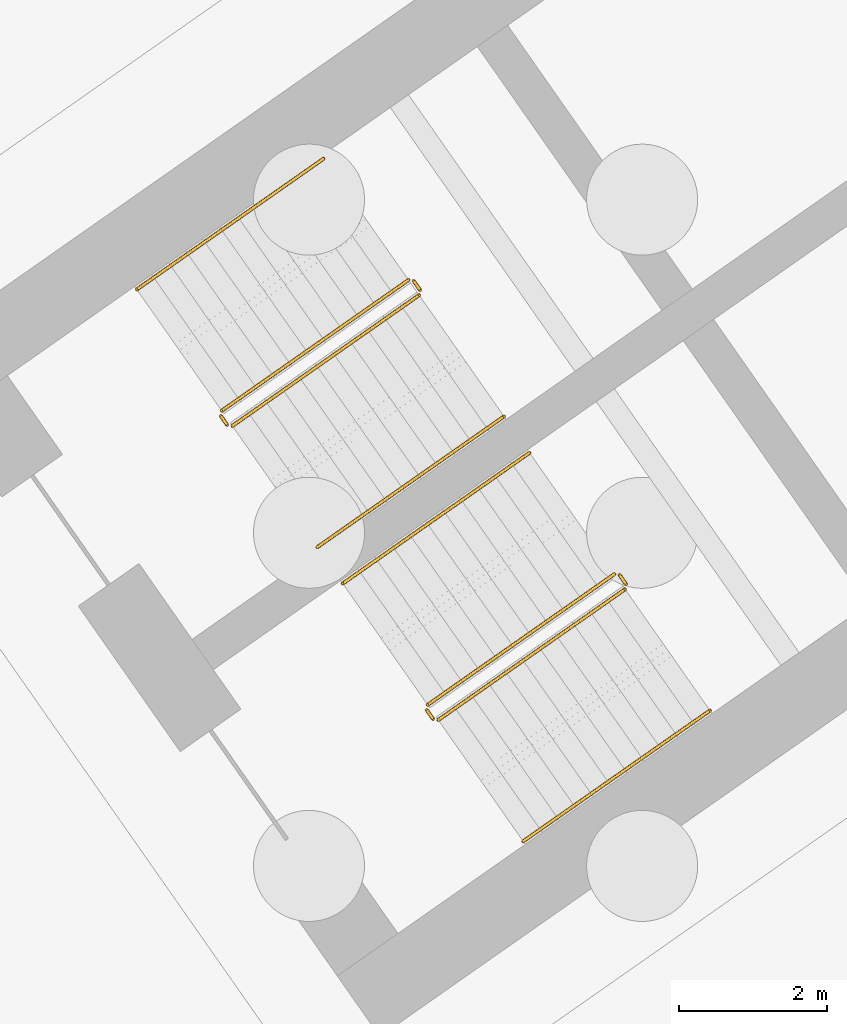
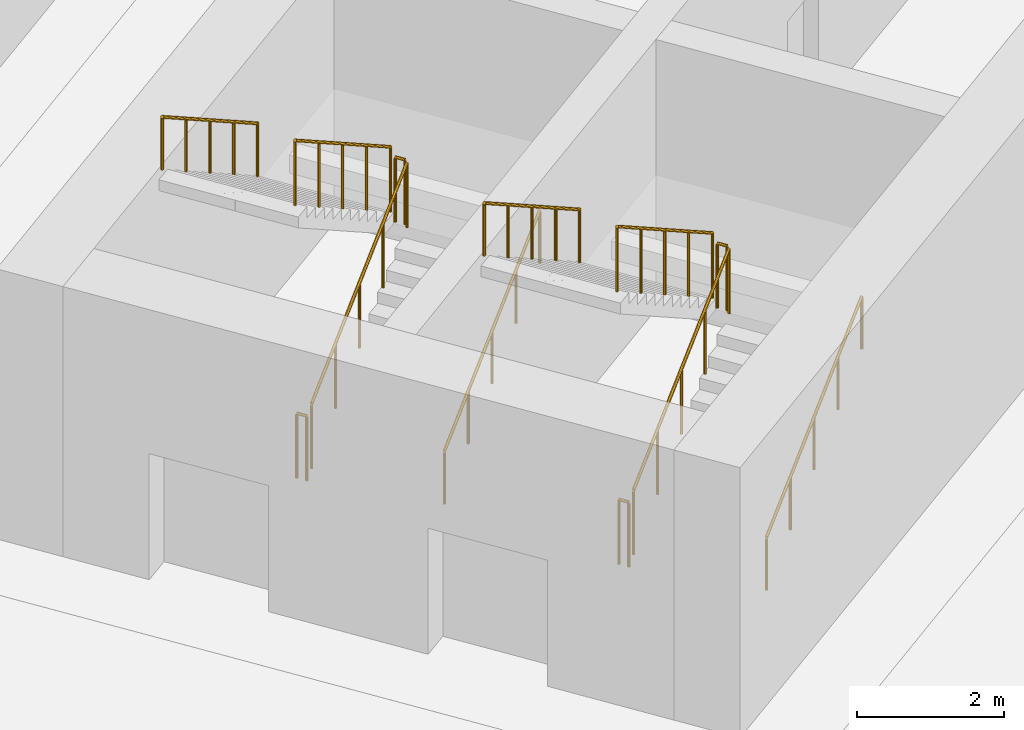
# One storey, part 11 of 13: 12 railings.
"""IFC4 building model written with IfcOpenShell, lengths in metres."""

import ifcopenshell
import ifcopenshell.guid

model = None  # the IFC model being written
_history = None  # IfcOwnerHistory: only IFC2X3 demands one
_inside = {}  # id of a spatial element -> (the spatial element, [elements in it])
_under = {}  # id of a project, library or spatial element -> (it, [spatial elements below it])
_declared = {}  # id of a project -> (the project, [libraries it declares])
_typed = {}  # id of a type object -> (the type object, [elements of that type])
_made_of = {}  # id of a material, layer set ... -> (it, [elements and type objects made of it])


def new_model(schema):
    """Start an empty IFC model of exactly this schema.

    Asked for "IFC4X3", IfcOpenShell would pick the latest addendum, in which some entities
    have other attributes; the version numbers below select the first issue.
    IFC2X3 requires an IfcOwnerHistory on every rooted entity: one is made here for all.
    """
    global model, _history
    if schema == "IFC4X3":
        model = ifcopenshell.file(schema_version=(4, 3, 0, 0))
    else:
        model = ifcopenshell.file(schema=schema)
    _inside.clear()
    _under.clear()
    _declared.clear()
    _typed.clear()
    _made_of.clear()
    _history = None
    if model.schema == "IFC2X3":
        org = make("IfcOrganization", Name="unknown")
        user = make(
            "IfcPersonAndOrganization",
            ThePerson=make("IfcPerson", FamilyName="unknown"),
            TheOrganization=org,
        )
        app = make(
            "IfcApplication",
            ApplicationDeveloper=org,
            Version="unknown",
            ApplicationFullName="unknown",
            ApplicationIdentifier="unknown",
        )
        _history = make(
            "IfcOwnerHistory",
            OwningUser=user,
            OwningApplication=app,
            ChangeAction="ADDED",
            CreationDate=0,
        )
    return model


def make(cls, **values):
    """One entity of the class cls with the attributes given. An attribute that is None is left unset."""
    return model.create_entity(
        cls, **{name: value for name, value in values.items() if value is not None}
    )


def rooted(cls, **values):
    """An entity with a GlobalId (a new one), such as an element, a storey or a relation."""
    return make(cls, GlobalId=ifcopenshell.guid.new(), OwnerHistory=_history, **values)


def si_unit(unit_type, name, prefix=None):
    """IfcSIUnit, for example si_unit("LENGTHUNIT", "METRE", prefix="MILLI")."""
    return make("IfcSIUnit", UnitType=unit_type, Prefix=prefix, Name=name)


def assignment(units):
    """IfcUnitAssignment: the units of a project."""
    return None if units is None else make("IfcUnitAssignment", Units=units)


def point(xyz):
    """IfcCartesianPoint."""
    return None if xyz is None else make("IfcCartesianPoint", Coordinates=xyz)


def direction(xyz):
    """IfcDirection."""
    return None if xyz is None else make("IfcDirection", DirectionRatios=xyz)


def frame(location, z_axis=None, x_axis=None):
    """IfcAxis2Placement3D, a coordinate frame: its origin and axes. An axis left out is left unset."""
    return make(
        "IfcAxis2Placement3D",
        Location=point(location),
        Axis=direction(z_axis),
        RefDirection=direction(x_axis),
    )


def frame_2d(location, x_axis=None):
    """IfcAxis2Placement2D, a coordinate frame in the plane: its origin and x axis."""
    return make(
        "IfcAxis2Placement2D", Location=point(location), RefDirection=direction(x_axis)
    )


def origin():
    """The frame at (0, 0, 0) with its axes left unset."""
    return frame((0.0, 0.0, 0.0))


def origin_2d():
    """The frame at (0, 0) in the plane with its x axis left unset."""
    return frame_2d((0.0, 0.0))


def place(relative_to, where):
    """IfcLocalPlacement: puts the frame where relative to a parent placement (None: the world)."""
    return make(
        "IfcLocalPlacement", PlacementRelTo=relative_to, RelativePlacement=where
    )


def context(
    kind, dimensions, precision=None, world=None, true_north=None, identifier=None
):
    """IfcGeometricRepresentationContext, for example the 3D "Model" context."""
    return make(
        "IfcGeometricRepresentationContext",
        ContextIdentifier=identifier,
        ContextType=kind,
        CoordinateSpaceDimension=dimensions,
        Precision=precision,
        WorldCoordinateSystem=world,
        TrueNorth=true_north,
    )


def subcontext(parent, identifier, kind, view, scale=None):
    """IfcGeometricRepresentationSubContext, for example "Body" below "Model"."""
    return make(
        "IfcGeometricRepresentationSubContext",
        ContextIdentifier=identifier,
        ContextType=kind,
        ParentContext=parent,
        TargetScale=scale,
        TargetView=view,
    )


def project(units=None, contexts=None):
    """IfcProject with its units and contexts."""
    return rooted(
        "IfcProject",
        Name="project",
        RepresentationContexts=contexts,
        UnitsInContext=assignment(units),
    )


def spatial(cls, under=None, at=None, **own):
    """A site, building, storey or space (cls), placed at a placement, below another one or the project."""
    s = rooted(cls, ObjectPlacement=at, **own)
    if under is not None:
        _under.setdefault(under.id(), (under, []))[1].append(s)
    return s


def profile(cls, at=None, kind="AREA", **sizes):
    """A parametric profile (cls). Its sizes go by their IFC names, for example OverallWidth=200.0."""
    return make(cls, ProfileType=kind, Position=at, **sizes)


def circle(**sizes):
    """IfcCircleProfileDef."""
    return profile("IfcCircleProfileDef", **sizes)


def extrude(swept, where, along, depth):
    """IfcExtrudedAreaSolid: the profile swept, set in the frame where, extruded along a direction by depth."""
    return make(
        "IfcExtrudedAreaSolid",
        SweptArea=swept,
        Position=where,
        ExtrudedDirection=direction(along),
        Depth=depth,
    )


def shape(context_of_items, identifier, shape_type, items):
    """IfcShapeRepresentation: the items that make up one representation, for example the "Body"."""
    return make(
        "IfcShapeRepresentation",
        ContextOfItems=context_of_items,
        RepresentationIdentifier=identifier,
        RepresentationType=shape_type,
        Items=items,
    )


def material(Name=None, Category=None):
    """IfcMaterial."""
    return make("IfcMaterial", Name=Name, Category=Category)


def made_of(thing, what):
    """Note that an element or type object is made of a material, layer set ...; save() writes the relation."""
    if what is not None:
        _made_of.setdefault(what.id(), (what, []))[1].append(thing)
    return thing


def type_object(cls, material=None, **own):
    """A type object (cls), such as IfcWallType, which elements share."""
    return made_of(rooted(cls, **own), material)


def element(
    cls,
    number,
    at=None,
    inside=None,
    cuts=None,
    type_object=None,
    material=None,
    context=None,
    identifier="Body",
    shape_type=None,
    held_by="IfcProductDefinitionShape",
    body=None,
    shapes=None,
    **own,
):
    """One element of the class cls, such as IfcWall. Its Tag is "e" and its number.

    at: its placement. inside: the storey or other place that contains it. cuts: it is an
    opening in that element (IfcRelVoidsElement). A single representation is given by context,
    identifier, shape_type and body (its items); several are given by shapes. held_by: the class
    of the entity that holds the representations. save() writes the other relations.
    """
    e = rooted(cls, Tag="e%d" % number, ObjectPlacement=at, **own)
    if body is not None:
        shapes = [shape(context, identifier, shape_type, body)]
    if shapes is not None:
        e.Representation = make(held_by, Representations=shapes)
    if inside is not None:
        _inside.setdefault(inside.id(), (inside, []))[1].append(e)
    if cuts is not None:
        rooted(
            "IfcRelVoidsElement", RelatingBuildingElement=cuts, RelatedOpeningElement=e
        )
    if type_object is not None:
        _typed.setdefault(type_object.id(), (type_object, []))[1].append(e)
    return made_of(e, material)


def aggregate(whole, parts):
    """IfcRelAggregates: a whole, such as a stair, and the parts it consists of."""
    return rooted("IfcRelAggregates", RelatingObject=whole, RelatedObjects=parts)


def save(model, path):
    """Write the relations noted so far, then the file.

    IfcRelAggregates (storeys below a building ...), IfcRelContainedInSpatialStructure (elements
    in a storey), IfcRelDefinesByType, IfcRelAssociatesMaterial and IfcRelDeclares: one each for
    every whole, place, type object, material and project.
    """
    for whole, parts in _under.values():
        aggregate(whole, parts)
    for where, things in _inside.values():
        rooted(
            "IfcRelContainedInSpatialStructure",
            RelatedElements=things,
            RelatingStructure=where,
        )
    for kind, things in _typed.values():
        rooted("IfcRelDefinesByType", RelatedObjects=things, RelatingType=kind)
    for what, things in _made_of.values():
        rooted("IfcRelAssociatesMaterial", RelatedObjects=things, RelatingMaterial=what)
    for by, libraries in _declared.values():
        rooted("IfcRelDeclares", RelatingContext=by, RelatedDefinitions=libraries)
    model.write(path)


model = new_model("IFC4")

# Units and contexts
model_context = context("Model", 3, precision=1e-05, world=origin(), true_north=direction((0.0, 1.0)))
body_context = subcontext(model_context, "Body", "Model", "MODEL_VIEW")
ifc_project = project(units=[si_unit("LENGTHUNIT", "METRE"), si_unit("AREAUNIT", "SQUARE_METRE"), si_unit("VOLUMEUNIT", "CUBIC_METRE"), si_unit("PLANEANGLEUNIT", "RADIAN"), si_unit("MASSUNIT", "GRAM", prefix="KILO")], contexts=[model_context])

# Site, building, storey
site_placement = place(None, origin())
site = spatial("IfcSite", under=ifc_project, at=site_placement, CompositionType="ELEMENT")
building_placement = place(site_placement, origin())
building = spatial("IfcBuilding", under=site, at=building_placement, Name="Tel Ilan Convention Tower", CompositionType="ELEMENT")
storey_placement = place(building_placement, frame((0.0, 0.0, -9.0)))
storey = spatial("IfcBuildingStorey", under=building, at=storey_placement, Name="B2", CompositionType="ELEMENT", Elevation=-9.0)

# Railings
ifc_material_1 = material(Name="Stainless Steel Grade 316", Category="steel")
railing_type_1 = type_object("IfcRailingType", Name="Stainless Steel Stair Guard 1100 mm", PredefinedType="GUARDRAIL", material=ifc_material_1)
railing_1_placement = place(storey_placement, frame((-23.535400390625, -8.056396484375, 0.1875)))
element("IfcRailing", 1, at=railing_1_placement, inside=storey, type_object=railing_type_1, Name="B2 S1 stair guard 1", PredefinedType="GUARDRAIL", context=body_context, shape_type="SweptSolid", body=[
    extrude(circle(Radius=0.02392578125, at=origin_2d()), frame((0.0, 0.0, 1.076171875), z_axis=(0.680634867305, 0.476589307124, 0.556416040158), x_axis=(-0.573579377721, 0.819149984711, 0.0)), (0.0, 0.0, 1.0), 3.706787109375),
    extrude(circle(Radius=0.02099609375, at=origin_2d()), origin(), (0.0, 0.0, 1.0), 1.052001953125),
    extrude(circle(Radius=0.02099609375, at=origin_2d()), frame((0.630859375, 0.441650390625, 0.515625)), (0.0, 0.0, 1.0), 1.052001953125),
    extrude(circle(Radius=0.02099609375, at=origin_2d()), frame((1.261474609375, 0.88330078125, 1.03125)), (0.0, 0.0, 1.0), 1.052001953125),
    extrude(circle(Radius=0.02099609375, at=origin_2d()), frame((1.89208984375, 1.324951171875, 1.546875)), (0.0, 0.0, 1.0), 1.052001953125),
    extrude(circle(Radius=0.02099609375, at=origin_2d()), frame((2.52294921875, 1.7666015625, 2.0625)), (0.0, 0.0, 1.0), 1.052001953125),
])
railing_2_placement = place(storey_placement, frame((-21.000244140625, -6.219970703125, 2.25)))
element("IfcRailing", 2, at=railing_2_placement, inside=storey, type_object=railing_type_1, Name="B2 S1 stair guard 2", PredefinedType="GUARDRAIL", context=body_context, shape_type="SweptSolid", body=[
    extrude(circle(Radius=0.02392578125, at=origin_2d()), frame((0.0, 0.0, 1.076171875), z_axis=(-0.573353020881, 0.819308436089, 0.0), x_axis=(-0.819308436089, -0.573353020881, 0.0)), (0.0, 0.0, 1.0), 0.14990234375),
    extrude(circle(Radius=0.02099609375, at=origin_2d()), origin(), (0.0, 0.0, 1.0), 1.052001953125),
    extrude(circle(Radius=0.02099609375, at=origin_2d()), frame((-0.0859375, 0.122802734375, 0.0)), (0.0, 0.0, 1.0), 1.052001953125),
])
railing_3_placement = place(storey_placement, frame((-21.15576171875, -6.0849609375, 2.4375)))
element("IfcRailing", 3, at=railing_3_placement, inside=storey, type_object=railing_type_1, Name="B2 S1 stair guard 3", PredefinedType="GUARDRAIL", context=body_context, shape_type="SweptSolid", body=[
    extrude(circle(Radius=0.02392578125, at=origin_2d()), frame((0.0, 0.0, 1.076171875), z_axis=(-0.680634867305, -0.476589307124, 0.556416040158), x_axis=(0.573579377721, -0.819149984711, 0.0)), (0.0, 0.0, 1.0), 3.706787109375),
    extrude(circle(Radius=0.02099609375, at=origin_2d()), origin(), (0.0, 0.0, 1.0), 1.052001953125),
    extrude(circle(Radius=0.02099609375, at=origin_2d()), frame((-0.630859375, -0.441650390625, 0.515625)), (0.0, 0.0, 1.0), 1.052001953125),
    extrude(circle(Radius=0.02099609375, at=origin_2d()), frame((-1.261474609375, -0.88330078125, 1.03125)), (0.0, 0.0, 1.0), 1.052001953125),
    extrude(circle(Radius=0.02099609375, at=origin_2d()), frame((-1.89208984375, -1.324951171875, 1.546875)), (0.0, 0.0, 1.0), 1.052001953125),
    extrude(circle(Radius=0.02099609375, at=origin_2d()), frame((-2.52294921875, -1.7666015625, 2.0625)), (0.0, 0.0, 1.0), 1.052001953125),
])
railing_4_placement = place(storey_placement, frame((-23.60498046875, -8.0439453125, 0.0)))
element("IfcRailing", 4, at=railing_4_placement, inside=storey, type_object=railing_type_1, Name="B2 S1 stair guard 4", PredefinedType="GUARDRAIL", context=body_context, shape_type="SweptSolid", body=[
    extrude(circle(Radius=0.02392578125, at=origin_2d()), frame((0.0, 0.0, 1.076171875), z_axis=(-0.574444878118, 0.818543268254, 0.0), x_axis=(-0.818543268254, -0.574444878118, 0.0)), (0.0, 0.0, 1.0), 0.150146484375),
    extrude(circle(Radius=0.02099609375, at=origin_2d()), origin(), (0.0, 0.0, 1.0), 1.052001953125),
    extrude(circle(Radius=0.02099609375, at=origin_2d()), frame((-0.086181640625, 0.122802734375, 0.0)), (0.0, 0.0, 1.0), 1.052001953125),
])
railing_5_placement = place(storey_placement, frame((-20.753662109375, -12.029296875, 0.1875)))
element("IfcRailing", 5, at=railing_5_placement, inside=storey, type_object=railing_type_1, Name="B2 S2 stair guard 1", PredefinedType="GUARDRAIL", context=body_context, shape_type="SweptSolid", body=[
    extrude(circle(Radius=0.02392578125, at=origin_2d()), frame((0.0, 0.0, 1.076171875), z_axis=(0.680670216326, 0.476567942461, 0.556391097003), x_axis=(-0.573542135923, 0.819176060637, 0.0)), (0.0, 0.0, 1.0), 3.70703125),
    extrude(circle(Radius=0.02099609375, at=origin_2d()), origin(), (0.0, 0.0, 1.0), 1.052001953125),
    extrude(circle(Radius=0.02099609375, at=origin_2d()), frame((0.630859375, 0.441650390625, 0.515625)), (0.0, 0.0, 1.0), 1.052001953125),
    extrude(circle(Radius=0.02099609375, at=origin_2d()), frame((1.26171875, 0.88330078125, 1.03125)), (0.0, 0.0, 1.0), 1.052001953125),
    extrude(circle(Radius=0.02099609375, at=origin_2d()), frame((1.892333984375, 1.324951171875, 1.546875)), (0.0, 0.0, 1.0), 1.052001953125),
    extrude(circle(Radius=0.02099609375, at=origin_2d()), frame((2.523193359375, 1.7666015625, 2.0625)), (0.0, 0.0, 1.0), 1.052001953125),
])
railing_6_placement = place(storey_placement, frame((-18.21826171875, -10.19287109375, 2.25)))
element("IfcRailing", 6, at=railing_6_placement, inside=storey, type_object=railing_type_1, Name="B2 S2 stair guard 2", PredefinedType="GUARDRAIL", context=body_context, shape_type="SweptSolid", body=[
    extrude(circle(Radius=0.02392578125, at=origin_2d()), frame((0.0, 0.0, 1.076171875), z_axis=(-0.574444878118, 0.818543268254, 0.0), x_axis=(-0.818543268254, -0.574444878118, 0.0)), (0.0, 0.0, 1.0), 0.150146484375),
    extrude(circle(Radius=0.02099609375, at=origin_2d()), origin(), (0.0, 0.0, 1.0), 1.052001953125),
    extrude(circle(Radius=0.02099609375, at=origin_2d()), frame((-0.086181640625, 0.122802734375, 0.0)), (0.0, 0.0, 1.0), 1.052001953125),
])
railing_7_placement = place(storey_placement, frame((-18.3740234375, -10.057861328125, 2.4375)))
element("IfcRailing", 7, at=railing_7_placement, inside=storey, type_object=railing_type_1, Name="B2 S2 stair guard 3", PredefinedType="GUARDRAIL", context=body_context, shape_type="SweptSolid", body=[
    extrude(circle(Radius=0.02392578125, at=origin_2d()), frame((0.0, 0.0, 1.076171875), z_axis=(-0.680634867305, -0.476589307124, 0.556416040158), x_axis=(0.573579377721, -0.819149984711, 0.0)), (0.0, 0.0, 1.0), 3.706787109375),
    extrude(circle(Radius=0.02099609375, at=origin_2d()), origin(), (0.0, 0.0, 1.0), 1.052001953125),
    extrude(circle(Radius=0.02099609375, at=origin_2d()), frame((-0.630859375, -0.441650390625, 0.515625)), (0.0, 0.0, 1.0), 1.052001953125),
    extrude(circle(Radius=0.02099609375, at=origin_2d()), frame((-1.261474609375, -0.88330078125, 1.03125)), (0.0, 0.0, 1.0), 1.052001953125),
    extrude(circle(Radius=0.02099609375, at=origin_2d()), frame((-1.89208984375, -1.324951171875, 1.546875)), (0.0, 0.0, 1.0), 1.052001953125),
    extrude(circle(Radius=0.02099609375, at=origin_2d()), frame((-2.52294921875, -1.7666015625, 2.0625)), (0.0, 0.0, 1.0), 1.052001953125),
])
railing_8_placement = place(storey_placement, frame((-20.8232421875, -12.016845703125, 0.0)))
element("IfcRailing", 8, at=railing_8_placement, inside=storey, type_object=railing_type_1, Name="B2 S2 stair guard 4", PredefinedType="GUARDRAIL", context=body_context, shape_type="SweptSolid", body=[
    extrude(circle(Radius=0.02392578125, at=origin_2d()), frame((0.0, 0.0, 1.076171875), z_axis=(-0.573353020881, 0.819308436089, 0.0), x_axis=(-0.819308436089, -0.573353020881, 0.0)), (0.0, 0.0, 1.0), 0.14990234375),
    extrude(circle(Radius=0.02099609375, at=origin_2d()), origin(), (0.0, 0.0, 1.0), 1.052001953125),
    extrude(circle(Radius=0.02099609375, at=origin_2d()), frame((-0.0859375, 0.122802734375, 0.0)), (0.0, 0.0, 1.0), 1.052001953125),
])
ifc_material_2 = material(Name="Stainless Steel Grade 316", Category="steel")
railing_type_2 = type_object("IfcRailingType", Name="Stainless Steel Stair Handrail 900 mm", PredefinedType="HANDRAIL", material=ifc_material_2)
railing_9_placement = place(storey_placement, frame((-22.38818359375, -9.694580078125, 0.1875)))
element("IfcRailing", 9, at=railing_9_placement, inside=storey, type_object=railing_type_2, Name="B2 S1 stair handrail 1", PredefinedType="HANDRAIL", context=body_context, shape_type="SweptSolid", body=[
    extrude(circle(Radius=0.02392578125, at=origin_2d()), frame((0.0, 0.0, 0.8759765625), z_axis=(0.680634867305, 0.476589307124, 0.556416040158), x_axis=(-0.573579377721, 0.819149984711, 0.0)), (0.0, 0.0, 1.0), 3.706787109375),
    extrude(circle(Radius=0.02099609375, at=origin_2d()), origin(), (0.0, 0.0, 1.0), 0.851806640625),
    extrude(circle(Radius=0.02099609375, at=origin_2d()), frame((0.630859375, 0.441650390625, 0.515625)), (0.0, 0.0, 1.0), 0.851806640625),
    extrude(circle(Radius=0.02099609375, at=origin_2d()), frame((1.261474609375, 0.88330078125, 1.03125)), (0.0, 0.0, 1.0), 0.851806640625),
    extrude(circle(Radius=0.02099609375, at=origin_2d()), frame((1.89208984375, 1.324951171875, 1.546875)), (0.0, 0.0, 1.0), 0.851806640625),
    extrude(circle(Radius=0.02099609375, at=origin_2d()), frame((2.52294921875, 1.7666015625, 2.0625)), (0.0, 0.0, 1.0), 0.851806640625),
])
railing_10_placement = place(storey_placement, frame((-22.302978515625, -4.446533203125, 2.4375)))
element("IfcRailing", 10, at=railing_10_placement, inside=storey, type_object=railing_type_2, Name="B2 S1 stair handrail 2", PredefinedType="HANDRAIL", context=body_context, shape_type="SweptSolid", body=[
    extrude(circle(Radius=0.02392578125, at=origin_2d()), frame((0.0, 0.0, 0.8759765625), z_axis=(-0.680634867305, -0.476589307124, 0.556416040158), x_axis=(0.573579377721, -0.819149984711, 0.0)), (0.0, 0.0, 1.0), 3.706787109375),
    extrude(circle(Radius=0.02099609375, at=origin_2d()), origin(), (0.0, 0.0, 1.0), 0.851806640625),
    extrude(circle(Radius=0.02099609375, at=origin_2d()), frame((-0.630859375, -0.441650390625, 0.515625)), (0.0, 0.0, 1.0), 0.851806640625),
    extrude(circle(Radius=0.02099609375, at=origin_2d()), frame((-1.261474609375, -0.88330078125, 1.03125)), (0.0, 0.0, 1.0), 0.851806640625),
    extrude(circle(Radius=0.02099609375, at=origin_2d()), frame((-1.89208984375, -1.324951171875, 1.546875)), (0.0, 0.0, 1.0), 0.851806640625),
    extrude(circle(Radius=0.02099609375, at=origin_2d()), frame((-2.52294921875, -1.7666015625, 2.0625)), (0.0, 0.0, 1.0), 0.851806640625),
])
railing_11_placement = place(storey_placement, frame((-19.6064453125, -13.66748046875, 0.1875)))
element("IfcRailing", 11, at=railing_11_placement, inside=storey, type_object=railing_type_2, Name="B2 S2 stair handrail 1", PredefinedType="HANDRAIL", context=body_context, shape_type="SweptSolid", body=[
    extrude(circle(Radius=0.02392578125, at=origin_2d()), frame((0.0, 0.0, 0.8759765625), z_axis=(0.680634867305, 0.476589307124, 0.556416040158), x_axis=(-0.573579377721, 0.819149984711, 0.0)), (0.0, 0.0, 1.0), 3.706787109375),
    extrude(circle(Radius=0.02099609375, at=origin_2d()), origin(), (0.0, 0.0, 1.0), 0.851806640625),
    extrude(circle(Radius=0.02099609375, at=origin_2d()), frame((0.630859375, 0.441650390625, 0.515625)), (0.0, 0.0, 1.0), 0.851806640625),
    extrude(circle(Radius=0.02099609375, at=origin_2d()), frame((1.261474609375, 0.88330078125, 1.03125)), (0.0, 0.0, 1.0), 0.851806640625),
    extrude(circle(Radius=0.02099609375, at=origin_2d()), frame((1.89208984375, 1.324951171875, 1.546875)), (0.0, 0.0, 1.0), 0.851806640625),
    extrude(circle(Radius=0.02099609375, at=origin_2d()), frame((2.52294921875, 1.7666015625, 2.0625)), (0.0, 0.0, 1.0), 0.851806640625),
])
railing_12_placement = place(storey_placement, frame((-19.521240234375, -8.41943359375, 2.4375)))
element("IfcRailing", 12, at=railing_12_placement, inside=storey, type_object=railing_type_2, Name="B2 S2 stair handrail 2", PredefinedType="HANDRAIL", context=body_context, shape_type="SweptSolid", body=[
    extrude(circle(Radius=0.02392578125, at=origin_2d()), frame((0.0, 0.0, 0.8759765625), z_axis=(-0.680634867305, -0.476589307124, 0.556416040158), x_axis=(0.573579377721, -0.819149984711, 0.0)), (0.0, 0.0, 1.0), 3.706787109375),
    extrude(circle(Radius=0.02099609375, at=origin_2d()), origin(), (0.0, 0.0, 1.0), 0.851806640625),
    extrude(circle(Radius=0.02099609375, at=origin_2d()), frame((-0.630859375, -0.441650390625, 0.515625)), (0.0, 0.0, 1.0), 0.851806640625),
    extrude(circle(Radius=0.02099609375, at=origin_2d()), frame((-1.261474609375, -0.88330078125, 1.03125)), (0.0, 0.0, 1.0), 0.851806640625),
    extrude(circle(Radius=0.02099609375, at=origin_2d()), frame((-1.89208984375, -1.324951171875, 1.546875)), (0.0, 0.0, 1.0), 0.851806640625),
    extrude(circle(Radius=0.02099609375, at=origin_2d()), frame((-2.52294921875, -1.7666015625, 2.0625)), (0.0, 0.0, 1.0), 0.851806640625),
])

save(model, "model.ifc")
